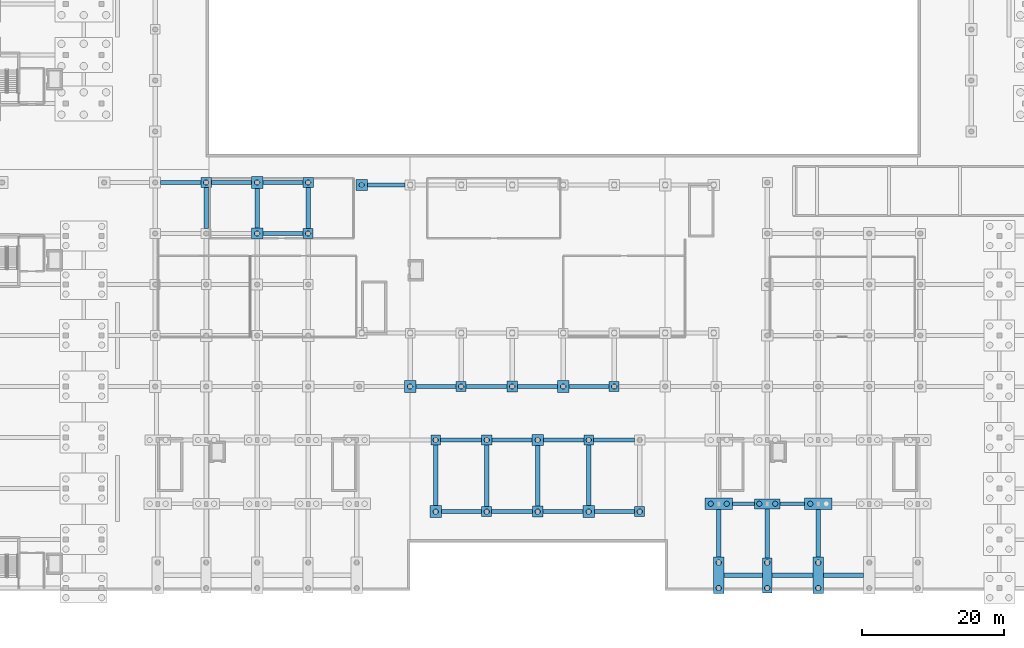
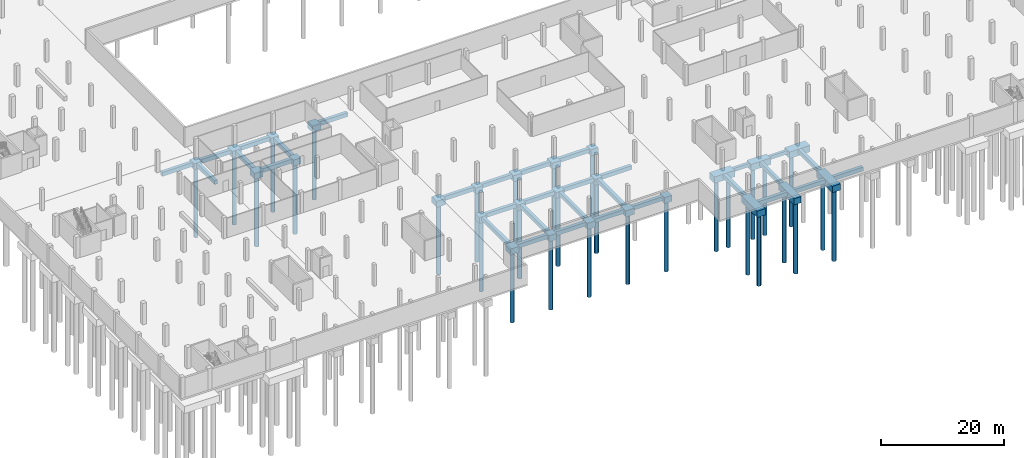
# One storey, part 4 of 36: 58 footings, 31 piles.
"""IFC4 building model written with IfcOpenShell, lengths in metres."""

from ifc_helpers import new_model, si_unit, derived_unit, direction, frame, origin, origin_2d, place, context, subcontext, project, spatial, polyline, rectangle, circle, outline, extrude, material, material_profile, profile_set, type_object, element, save


model = new_model("IFC4")

# Units and contexts
model_context = context("Model", 3, precision=1e-05, world=origin(), true_north=direction((0.0, 1.0)))
body_context = subcontext(model_context, "Body", "Model", "MODEL_VIEW")
ifc_project = project(units=[si_unit("LENGTHUNIT", "METRE"), si_unit("AREAUNIT", "SQUARE_METRE"), si_unit("VOLUMEUNIT", "CUBIC_METRE"), si_unit("PLANEANGLEUNIT", "RADIAN"), si_unit("MASSUNIT", "GRAM", prefix="KILO"), derived_unit("THERMALTRANSMITTANCEUNIT", [(si_unit("MASSUNIT", "GRAM", prefix="KILO"), 1), (si_unit("TIMEUNIT", "SECOND"), -3), (si_unit("THERMODYNAMICTEMPERATUREUNIT", "KELVIN"), -1)])], contexts=[model_context])

# Site, building, storey
site_placement = place(None, origin())
site = spatial("IfcSite", under=ifc_project, at=site_placement, CompositionType="ELEMENT")
building_placement = place(site_placement, origin())
building = spatial("IfcBuilding", under=site, at=building_placement, Name="Ochrekiln Boulevard Commons", CompositionType="ELEMENT")
storey_placement = place(building_placement, frame((0.0, 0.0, -4.199951171875)))
storey = spatial("IfcBuildingStorey", under=building, at=storey_placement, Name="B1", CompositionType="ELEMENT", Elevation=-4.199951171875)

# Footings
ifc_material = material(Name="Concrete C35/45", Category="concrete")
footing_type_1 = type_object("IfcFootingType", Name="CAP-RC-1350x1350x1200", PredefinedType="PILE_CAP", material=ifc_material)
for number, where, z_axis, x_axis, name in (
    (1, (68.39990234375, 21.25, -1.5), (0.0, 0.0, 1.0), (1.0, 0.0, 0.0), "Reinforced Concrete Pile Cap PC-27 (90)"),
    (2, (90.0, 21.25, -1.5), (0.0, 0.0, 1.0), (1.0, 0.0, 0.0), "Reinforced Concrete Pile Cap PC-27 (114)"),
):
    element("IfcFooting", number, at=place(storey_placement, frame(where, z_axis=z_axis, x_axis=x_axis)), inside=storey, type_object=footing_type_1, Name=name, PredefinedType="PILE_CAP", context=body_context, shape_type="SweptSolid", body=[
        extrude(rectangle(XDim=1.35009765625, YDim=1.35009765625, at=origin_2d()), origin(), (0.0, 0.0, 1.0), 1.199951171875),
    ])
footing_type_2 = type_object("IfcFootingType", Name="CAP-RC-1350x4950x1250", PredefinedType="PILE_CAP", material=ifc_material)
footing_1_placement = place(storey_placement, frame((115.199951171875, 2.14990234375, -1.550048828125), z_axis=(0.0, 0.0, 1.0), x_axis=(1.0, 0.0, 0.0)))
element("IfcFooting", 3, at=footing_1_placement, inside=storey, type_object=footing_type_2, Name="Reinforced Concrete Pile Cap PC-39 (138)", PredefinedType="PILE_CAP", context=body_context, shape_type="SweptSolid", body=[
    extrude(rectangle(XDim=1.35009765625, YDim=4.949951171875, at=origin_2d()), origin(), (0.0, 0.0, 1.0), 1.25),
])
footing_type_3 = type_object("IfcFootingType", Name="CAP-RC-1410x1410x1200", PredefinedType="PILE_CAP", material=ifc_material)
for number, where, z_axis, x_axis, name in (
    (4, (50.39990234375, 50.39990234375, -1.5), (0.0, 0.0, 1.0), (1.0, 0.0, 0.0), "Reinforced Concrete Pile Cap PC-28 (73)"),
    (5, (72.0, 28.800048828125, -1.5), (0.0, 0.0, 1.0), (1.0, 0.0, 0.0), "Reinforced Concrete Pile Cap PC-28 (91)"),
    (6, (75.60009765625, 11.14990234375, -1.5), (0.0, 0.0, 1.0), (1.0, 0.0, 0.0), "Reinforced Concrete Pile Cap PC-28 (97)"),
    (7, (93.60009765625, 28.800048828125, -1.5), (0.0, 0.0, 1.0), (1.0, 0.0, 0.0), "Reinforced Concrete Pile Cap PC-28 (115)"),
    (8, (97.199951171875, 11.14990234375, -1.5), (0.0, 0.0, 1.0), (1.0, 0.0, 0.0), "Reinforced Concrete Pile Cap PC-28 (121)"),
):
    element("IfcFooting", number, at=place(storey_placement, frame(where, z_axis=z_axis, x_axis=x_axis)), inside=storey, type_object=footing_type_3, Name=name, PredefinedType="PILE_CAP", context=body_context, shape_type="SweptSolid", body=[
        extrude(rectangle(XDim=1.409912109375, YDim=1.409912109375, at=origin_2d()), origin(), (0.0, 0.0, 1.0), 1.199951171875),
    ])
footing_type_4 = type_object("IfcFootingType", Name="CAP-RC-1470x1470x1200", PredefinedType="PILE_CAP", material=ifc_material)
for number, where, z_axis, x_axis, name in (
    (9, (36.0, 57.60009765625, -1.5), (0.0, 0.0, 1.0), (1.0, 0.0, 0.0), "Reinforced Concrete Pile Cap PC-29 (56)"),
    (10, (50.39990234375, 57.60009765625, -1.5), (0.0, 0.0, 1.0), (1.0, 0.0, 0.0), "Reinforced Concrete Pile Cap PC-29 (74)"),
    (11, (75.60009765625, 21.25, -1.5), (0.0, 0.0, 1.0), (1.0, 0.0, 0.0), "Reinforced Concrete Pile Cap PC-29 (98)"),
):
    element("IfcFooting", number, at=place(storey_placement, frame(where, z_axis=z_axis, x_axis=x_axis)), inside=storey, type_object=footing_type_4, Name=name, PredefinedType="PILE_CAP", context=body_context, shape_type="SweptSolid", body=[
        extrude(rectangle(XDim=1.469970703125, YDim=1.469970703125, at=origin_2d()), origin(), (0.0, 0.0, 1.0), 1.199951171875),
    ])
footing_type_5 = type_object("IfcFootingType", Name="CAP-RC-1530x1530x1200", PredefinedType="PILE_CAP", material=ifc_material)
for number, where, z_axis, x_axis, name in (
    (12, (79.199951171875, 28.800048828125, -1.5), (0.0, 0.0, 1.0), (1.0, 0.0, 0.0), "Reinforced Concrete Pile Cap PC-30 (99)"),
    (13, (82.800048828125, 11.14990234375, -1.5), (0.0, 0.0, 1.0), (1.0, 0.0, 0.0), "Reinforced Concrete Pile Cap PC-30 (105)"),
):
    element("IfcFooting", number, at=place(storey_placement, frame(where, z_axis=z_axis, x_axis=x_axis)), inside=storey, type_object=footing_type_5, Name=name, PredefinedType="PILE_CAP", context=body_context, shape_type="SweptSolid", body=[
        extrude(rectangle(XDim=1.530029296875, YDim=1.530029296875, at=origin_2d()), origin(), (0.0, 0.0, 1.0), 1.199951171875),
    ])
footing_type_6 = type_object("IfcFootingType", Name="CAP-RC-1530x5130x1250", PredefinedType="PILE_CAP", material=ifc_material)
for number, where, z_axis, x_axis, name in (
    (14, (108.35009765625, 2.14990234375, -1.550048828125), (0.0, 0.0, 1.0), (1.0, 0.0, 0.0), "Reinforced Concrete Pile Cap PC-37 (135)"),
    (15, (122.39990234375, 2.14990234375, -1.550048828125), (0.0, 0.0, 1.0), (1.0, 0.0, 0.0), "Reinforced Concrete Pile Cap PC-37 (147)"),
):
    element("IfcFooting", number, at=place(storey_placement, frame(where, z_axis=z_axis, x_axis=x_axis)), inside=storey, type_object=footing_type_6, Name=name, PredefinedType="PILE_CAP", context=body_context, shape_type="SweptSolid", body=[
        extrude(rectangle(XDim=1.530029296875, YDim=5.1298828125, at=origin_2d()), origin(), (0.0, 0.0, 1.0), 1.25),
    ])
footing_type_7 = type_object("IfcFootingType", Name="CAP-RC-1590x1590x1200", PredefinedType="PILE_CAP", material=ifc_material)
for number, where, z_axis, x_axis, name in (
    (16, (43.199951171875, 50.39990234375, -1.5), (0.0, 0.0, 1.0), (1.0, 0.0, 0.0), "Reinforced Concrete Pile Cap PC-26 (64)"),
    (17, (57.949951171875, 57.25, -1.5), (0.0, 0.0, 1.0), (1.0, 0.0, 0.0), "Reinforced Concrete Pile Cap PC-26 (82)"),
    (18, (82.800048828125, 21.25, -1.5), (0.0, 0.0, 1.0), (1.0, 0.0, 0.0), "Reinforced Concrete Pile Cap PC-26 (106)"),
):
    element("IfcFooting", number, at=place(storey_placement, frame(where, z_axis=z_axis, x_axis=x_axis)), inside=storey, type_object=footing_type_7, Name=name, PredefinedType="PILE_CAP", context=body_context, shape_type="SweptSolid", body=[
        extrude(rectangle(XDim=1.590087890625, YDim=1.590087890625, at=origin_2d()), origin(), (0.0, 0.0, 1.0), 1.199951171875),
    ])
footing_type_8 = type_object("IfcFootingType", Name="CAP-RC-1650x1650x1200", PredefinedType="PILE_CAP", material=ifc_material)
for number, where, z_axis, x_axis, name in (
    (19, (43.199951171875, 57.60009765625, -1.5), (0.0, 0.0, 1.0), (1.0, 0.0, 0.0), "Reinforced Concrete Pile Cap PC-17 (65)"),
    (20, (64.800048828125, 28.800048828125, -1.5), (0.0, 0.0, 1.0), (1.0, 0.0, 0.0), "Reinforced Concrete Pile Cap PC-17 (83)"),
    (21, (68.39990234375, 11.14990234375, -1.5), (0.0, 0.0, 1.0), (1.0, 0.0, 0.0), "Reinforced Concrete Pile Cap PC-17 (89)"),
    (22, (86.39990234375, 28.800048828125, -1.5), (0.0, 0.0, 1.0), (1.0, 0.0, 0.0), "Reinforced Concrete Pile Cap PC-17 (107)"),
    (23, (90.0, 11.14990234375, -1.5), (0.0, 0.0, 1.0), (1.0, 0.0, 0.0), "Reinforced Concrete Pile Cap PC-17 (113)"),
):
    element("IfcFooting", number, at=place(storey_placement, frame(where, z_axis=z_axis, x_axis=x_axis)), inside=storey, type_object=footing_type_8, Name=name, PredefinedType="PILE_CAP", context=body_context, shape_type="SweptSolid", body=[
        extrude(rectangle(XDim=1.64990234375, YDim=1.64990234375, at=origin_2d()), origin(), (0.0, 0.0, 1.0), 1.199951171875),
    ])
footing_type_9 = type_object("IfcFootingType", Name="CAP-RC-3660x1410x1300", PredefinedType="PILE_CAP", material=ifc_material)
footing_2_placement = place(storey_placement, frame((115.199951171875, 12.25, -1.60009765625), z_axis=(0.0, 0.0, 1.0), x_axis=(1.0, 0.0, 0.0)))
element("IfcFooting", 24, at=footing_2_placement, inside=storey, type_object=footing_type_9, Name="Reinforced Concrete Pile Cap PC-40 (139)", PredefinedType="PILE_CAP", context=body_context, shape_type="SweptSolid", body=[
    extrude(rectangle(XDim=3.659912109375, YDim=1.409912109375, at=origin_2d()), origin(), (0.0, 0.0, 1.0), 1.300048828125),
])
footing_type_10 = type_object("IfcFootingType", Name="CAP-RC-3840x1590x1300", PredefinedType="PILE_CAP", material=ifc_material)
for number, where, z_axis, x_axis, name in (
    (25, (108.35009765625, 12.25, -1.60009765625), (0.0, 0.0, 1.0), (1.0, 0.0, 0.0), "Reinforced Concrete Pile Cap PC-38 (136)"),
    (26, (122.39990234375, 12.25, -1.60009765625), (0.0, 0.0, 1.0), (1.0, 0.0, 0.0), "Reinforced Concrete Pile Cap PC-38 (148)"),
):
    element("IfcFooting", number, at=place(storey_placement, frame(where, z_axis=z_axis, x_axis=x_axis)), inside=storey, type_object=footing_type_10, Name=name, PredefinedType="PILE_CAP", context=body_context, shape_type="SweptSolid", body=[
        extrude(rectangle(XDim=3.840087890625, YDim=1.590087890625, at=origin_2d()), origin(), (0.0, 0.0, 1.0), 1.300048828125),
    ])
footing_type_11 = type_object("IfcFootingType", Name="FTG-BEAM-500x700", PredefinedType="FOOTING_BEAM", material=ifc_material)
footing_3_placement = place(storey_placement, frame((0.0, 0.0, -1.0)))
element("IfcFooting", 27, at=footing_3_placement, inside=storey, type_object=footing_type_11, Name="Seismic Footing Tie Beam FB-5070 X-152", PredefinedType="FOOTING_BEAM", context=body_context, shape_type="SweptSolid", body=[
    extrude(outline(polyline([(110.27001953125, 12.0), (113.3701171875, 12.0), (113.3701171875, 12.5), (110.27001953125, 12.5), (110.27001953125, 12.0)])), origin(), (0.0, 0.0, 1.0), 0.699951171875),
])
footing_4_placement = place(storey_placement, frame((0.0, 0.0, -1.0)))
element("IfcFooting", 28, at=footing_4_placement, inside=storey, type_object=footing_type_11, Name="Seismic Footing Tie Beam FB-5070 X-153", PredefinedType="FOOTING_BEAM", context=body_context, shape_type="SweptSolid", body=[
    extrude(outline(polyline([(117.030029296875, 12.0), (120.47998046875, 12.0), (120.47998046875, 12.5), (117.030029296875, 12.5), (117.030029296875, 12.0)])), origin(), (0.0, 0.0, 1.0), 0.699951171875),
])
footing_type_12 = type_object("IfcFootingType", Name="FTG-BEAM-600x800", PredefinedType="FOOTING_BEAM", material=ifc_material)
footing_5_placement = place(storey_placement, frame((0.0, 0.0, -1.10009765625)))
element("IfcFooting", 29, at=footing_5_placement, inside=storey, type_object=footing_type_12, Name="Seismic Footing Tie Beam FB-6080 X-19", PredefinedType="FOOTING_BEAM", context=body_context, shape_type="SweptSolid", body=[
    extrude(outline(polyline([(69.074951171875, 20.949951171875), (74.864990234375, 20.949951171875), (74.864990234375, 21.550048828125), (69.074951171875, 21.550048828125), (69.074951171875, 20.949951171875)])), origin(), (0.0, 0.0, 1.0), 0.800048828125),
])
footing_6_placement = place(storey_placement, frame((0.0, 0.0, -1.10009765625)))
element("IfcFooting", 30, at=footing_6_placement, inside=storey, type_object=footing_type_12, Name="Seismic Footing Tie Beam FB-6080 X-20", PredefinedType="FOOTING_BEAM", context=body_context, shape_type="SweptSolid", body=[
    extrude(outline(polyline([(76.3349609375, 20.949951171875), (82.0048828125, 20.949951171875), (82.0048828125, 21.550048828125), (76.3349609375, 21.550048828125), (76.3349609375, 20.949951171875)])), origin(), (0.0, 0.0, 1.0), 0.800048828125),
])
footing_7_placement = place(storey_placement, frame((0.0, 0.0, -1.10009765625)))
element("IfcFooting", 31, at=footing_7_placement, inside=storey, type_object=footing_type_12, Name="Seismic Footing Tie Beam FB-6080 X-21", PredefinedType="FOOTING_BEAM", context=body_context, shape_type="SweptSolid", body=[
    extrude(outline(polyline([(83.594970703125, 20.949951171875), (89.324951171875, 20.949951171875), (89.324951171875, 21.550048828125), (83.594970703125, 21.550048828125), (83.594970703125, 20.949951171875)])), origin(), (0.0, 0.0, 1.0), 0.800048828125),
])
footing_8_placement = place(storey_placement, frame((0.0, 0.0, -1.10009765625)))
element("IfcFooting", 32, at=footing_8_placement, inside=storey, type_object=footing_type_12, Name="Seismic Footing Tie Beam FB-6080 X-22", PredefinedType="FOOTING_BEAM", context=body_context, shape_type="SweptSolid", body=[
    extrude(outline(polyline([(90.675048828125, 20.949951171875), (96.465087890625, 20.949951171875), (96.465087890625, 21.550048828125), (90.675048828125, 21.550048828125), (90.675048828125, 20.949951171875)])), origin(), (0.0, 0.0, 1.0), 0.800048828125),
])
footing_9_placement = place(storey_placement, frame((0.0, 0.0, -1.10009765625)))
element("IfcFooting", 33, at=footing_9_placement, inside=storey, type_object=footing_type_12, Name="Seismic Footing Tie Beam FB-6080 X-38", PredefinedType="FOOTING_BEAM", context=body_context, shape_type="SweptSolid", body=[
    extrude(outline(polyline([(65.625, 28.5), (71.294921875, 28.5), (71.294921875, 29.10009765625), (65.625, 29.10009765625), (65.625, 28.5)])), origin(), (0.0, 0.0, 1.0), 0.800048828125),
])
footing_10_placement = place(storey_placement, frame((0.0, 0.0, -1.10009765625)))
element("IfcFooting", 34, at=footing_10_placement, inside=storey, type_object=footing_type_12, Name="Seismic Footing Tie Beam FB-6080 X-39", PredefinedType="FOOTING_BEAM", context=body_context, shape_type="SweptSolid", body=[
    extrude(outline(polyline([(72.705078125, 28.5), (78.43505859375, 28.5), (78.43505859375, 29.10009765625), (72.705078125, 29.10009765625), (72.705078125, 28.5)])), origin(), (0.0, 0.0, 1.0), 0.800048828125),
])
footing_11_placement = place(storey_placement, frame((0.0, 0.0, -1.10009765625)))
element("IfcFooting", 35, at=footing_11_placement, inside=storey, type_object=footing_type_12, Name="Seismic Footing Tie Beam FB-6080 X-40", PredefinedType="FOOTING_BEAM", context=body_context, shape_type="SweptSolid", body=[
    extrude(outline(polyline([(79.965087890625, 28.5), (85.574951171875, 28.5), (85.574951171875, 29.10009765625), (79.965087890625, 29.10009765625), (79.965087890625, 28.5)])), origin(), (0.0, 0.0, 1.0), 0.800048828125),
])
footing_12_placement = place(storey_placement, frame((0.0, 0.0, -1.10009765625)))
element("IfcFooting", 36, at=footing_12_placement, inside=storey, type_object=footing_type_12, Name="Seismic Footing Tie Beam FB-6080 X-41", PredefinedType="FOOTING_BEAM", context=body_context, shape_type="SweptSolid", body=[
    extrude(outline(polyline([(87.22509765625, 28.5), (92.89501953125, 28.5), (92.89501953125, 29.10009765625), (87.22509765625, 29.10009765625), (87.22509765625, 28.5)])), origin(), (0.0, 0.0, 1.0), 0.800048828125),
])
footing_13_placement = place(storey_placement, frame((0.0, 0.0, -1.10009765625)))
element("IfcFooting", 37, at=footing_13_placement, inside=storey, type_object=footing_type_12, Name="Seismic Footing Tie Beam FB-6080 X-86", PredefinedType="FOOTING_BEAM", context=body_context, shape_type="SweptSolid", body=[
    extrude(outline(polyline([(43.9951171875, 50.10009765625), (49.695068359375, 50.10009765625), (49.695068359375, 50.699951171875), (43.9951171875, 50.699951171875), (43.9951171875, 50.10009765625)])), origin(), (0.0, 0.0, 1.0), 0.800048828125),
])
footing_14_placement = place(storey_placement, frame((0.0, 0.0, -1.10009765625)))
element("IfcFooting", 38, at=footing_14_placement, inside=storey, type_object=footing_type_12, Name="Seismic Footing Tie Beam FB-6080 X-122", PredefinedType="FOOTING_BEAM", context=body_context, shape_type="SweptSolid", body=[
    extrude(outline(polyline([(29.56494140625, 57.300048828125), (35.264892578125, 57.300048828125), (35.264892578125, 57.89990234375), (29.56494140625, 57.89990234375), (29.56494140625, 57.300048828125)])), origin(), (0.0, 0.0, 1.0), 0.800048828125),
])
footing_15_placement = place(storey_placement, frame((0.0, 0.0, -1.10009765625)))
element("IfcFooting", 39, at=footing_15_placement, inside=storey, type_object=footing_type_12, Name="Seismic Footing Tie Beam FB-6080 X-123", PredefinedType="FOOTING_BEAM", context=body_context, shape_type="SweptSolid", body=[
    extrude(outline(polyline([(36.735107421875, 57.300048828125), (42.375, 57.300048828125), (42.375, 57.89990234375), (36.735107421875, 57.89990234375), (36.735107421875, 57.300048828125)])), origin(), (0.0, 0.0, 1.0), 0.800048828125),
])
footing_16_placement = place(storey_placement, frame((0.0, 0.0, -1.10009765625)))
element("IfcFooting", 40, at=footing_16_placement, inside=storey, type_object=footing_type_12, Name="Seismic Footing Tie Beam FB-6080 X-124", PredefinedType="FOOTING_BEAM", context=body_context, shape_type="SweptSolid", body=[
    extrude(outline(polyline([(44.02490234375, 57.300048828125), (49.6650390625, 57.300048828125), (49.6650390625, 57.89990234375), (44.02490234375, 57.89990234375), (44.02490234375, 57.300048828125)])), origin(), (0.0, 0.0, 1.0), 0.800048828125),
])
footing_17_placement = place(storey_placement, frame((0.0, 0.0, -1.10009765625)))
element("IfcFooting", 41, at=footing_17_placement, inside=storey, type_object=footing_type_12, Name="Seismic Footing Tie Beam FB-6080 X-125", PredefinedType="FOOTING_BEAM", context=body_context, shape_type="SweptSolid", body=[
    extrude(outline(polyline([(58.7451171875, 56.949951171875), (64.094970703125, 56.949951171875), (64.094970703125, 57.550048828125), (58.7451171875, 57.550048828125), (58.7451171875, 56.949951171875)])), origin(), (0.0, 0.0, 1.0), 0.800048828125),
])
footing_18_placement = place(storey_placement, frame((0.0, 0.0, -1.10009765625)))
element("IfcFooting", 42, at=footing_18_placement, inside=storey, type_object=footing_type_12, Name="Seismic Footing Tie Beam FB-6080 X-144", PredefinedType="FOOTING_BEAM", context=body_context, shape_type="SweptSolid", body=[
    extrude(outline(polyline([(109.114990234375, 1.85009765625), (114.52490234375, 1.85009765625), (114.52490234375, 2.449951171875), (109.114990234375, 2.449951171875), (109.114990234375, 1.85009765625)])), origin(), (0.0, 0.0, 1.0), 0.800048828125),
])
footing_19_placement = place(storey_placement, frame((0.0, 0.0, -1.10009765625)))
element("IfcFooting", 43, at=footing_19_placement, inside=storey, type_object=footing_type_12, Name="Seismic Footing Tie Beam FB-6080 X-145", PredefinedType="FOOTING_BEAM", context=body_context, shape_type="SweptSolid", body=[
    extrude(outline(polyline([(115.875, 1.85009765625), (121.635009765625, 1.85009765625), (121.635009765625, 2.449951171875), (115.875, 2.449951171875), (115.875, 1.85009765625)])), origin(), (0.0, 0.0, 1.0), 0.800048828125),
])
footing_20_placement = place(storey_placement, frame((0.0, 0.0, -1.10009765625)))
element("IfcFooting", 44, at=footing_20_placement, inside=storey, type_object=footing_type_12, Name="Seismic Footing Tie Beam FB-6080 X-146", PredefinedType="FOOTING_BEAM", context=body_context, shape_type="SweptSolid", body=[
    extrude(outline(polyline([(123.1650390625, 1.85009765625), (128.77490234375, 1.85009765625), (128.77490234375, 2.449951171875), (123.1650390625, 2.449951171875), (123.1650390625, 1.85009765625)])), origin(), (0.0, 0.0, 1.0), 0.800048828125),
])
footing_21_placement = place(storey_placement, frame((0.0, 0.0, -1.10009765625)))
element("IfcFooting", 45, at=footing_21_placement, inside=storey, type_object=footing_type_12, Name="Seismic Footing Tie Beam FB-6080 X-162", PredefinedType="FOOTING_BEAM", context=body_context, shape_type="SweptSolid", body=[
    extrude(outline(polyline([(69.22509765625, 10.85009765625), (74.89501953125, 10.85009765625), (74.89501953125, 11.449951171875), (69.22509765625, 11.449951171875), (69.22509765625, 10.85009765625)])), origin(), (0.0, 0.0, 1.0), 0.800048828125),
])
footing_22_placement = place(storey_placement, frame((0.0, 0.0, -1.10009765625)))
element("IfcFooting", 46, at=footing_22_placement, inside=storey, type_object=footing_type_12, Name="Seismic Footing Tie Beam FB-6080 X-163", PredefinedType="FOOTING_BEAM", context=body_context, shape_type="SweptSolid", body=[
    extrude(outline(polyline([(76.304931640625, 10.85009765625), (82.034912109375, 10.85009765625), (82.034912109375, 11.449951171875), (76.304931640625, 11.449951171875), (76.304931640625, 10.85009765625)])), origin(), (0.0, 0.0, 1.0), 0.800048828125),
])
footing_23_placement = place(storey_placement, frame((0.0, 0.0, -1.10009765625)))
element("IfcFooting", 47, at=footing_23_placement, inside=storey, type_object=footing_type_12, Name="Seismic Footing Tie Beam FB-6080 X-164", PredefinedType="FOOTING_BEAM", context=body_context, shape_type="SweptSolid", body=[
    extrude(outline(polyline([(83.56494140625, 10.85009765625), (89.175048828125, 10.85009765625), (89.175048828125, 11.449951171875), (83.56494140625, 11.449951171875), (83.56494140625, 10.85009765625)])), origin(), (0.0, 0.0, 1.0), 0.800048828125),
])
footing_24_placement = place(storey_placement, frame((0.0, 0.0, -1.10009765625)))
element("IfcFooting", 48, at=footing_24_placement, inside=storey, type_object=footing_type_12, Name="Seismic Footing Tie Beam FB-6080 X-165", PredefinedType="FOOTING_BEAM", context=body_context, shape_type="SweptSolid", body=[
    extrude(outline(polyline([(90.824951171875, 10.85009765625), (96.4951171875, 10.85009765625), (96.4951171875, 11.449951171875), (90.824951171875, 11.449951171875), (90.824951171875, 10.85009765625)])), origin(), (0.0, 0.0, 1.0), 0.800048828125),
])
footing_25_placement = place(storey_placement, frame((0.0, 0.0, -1.10009765625)))
element("IfcFooting", 49, at=footing_25_placement, inside=storey, type_object=footing_type_12, Name="Seismic Footing Tie Beam FB-6080 Y-212", PredefinedType="FOOTING_BEAM", context=body_context, shape_type="SweptSolid", body=[
    extrude(outline(polyline([(35.699951171875, 51.10498046875), (36.300048828125, 51.10498046875), (36.300048828125, 56.864990234375), (35.699951171875, 56.864990234375), (35.699951171875, 51.10498046875)])), origin(), (0.0, 0.0, 1.0), 0.800048828125),
])
footing_26_placement = place(storey_placement, frame((0.0, 0.0, -1.10009765625)))
element("IfcFooting", 50, at=footing_26_placement, inside=storey, type_object=footing_type_12, Name="Seismic Footing Tie Beam FB-6080 Y-219", PredefinedType="FOOTING_BEAM", context=body_context, shape_type="SweptSolid", body=[
    extrude(outline(polyline([(42.89990234375, 51.195068359375), (43.5, 51.195068359375), (43.5, 56.77490234375), (42.89990234375, 56.77490234375), (42.89990234375, 51.195068359375)])), origin(), (0.0, 0.0, 1.0), 0.800048828125),
])
footing_27_placement = place(storey_placement, frame((0.0, 0.0, -1.10009765625)))
element("IfcFooting", 51, at=footing_27_placement, inside=storey, type_object=footing_type_12, Name="Seismic Footing Tie Beam FB-6080 Y-226", PredefinedType="FOOTING_BEAM", context=body_context, shape_type="SweptSolid", body=[
    extrude(outline(polyline([(50.10009765625, 51.10498046875), (50.699951171875, 51.10498046875), (50.699951171875, 56.864990234375), (50.10009765625, 56.864990234375), (50.10009765625, 51.10498046875)])), origin(), (0.0, 0.0, 1.0), 0.800048828125),
])
footing_28_placement = place(storey_placement, frame((0.0, 0.0, -1.10009765625)))
element("IfcFooting", 52, at=footing_28_placement, inside=storey, type_object=footing_type_12, Name="Seismic Footing Tie Beam FB-6080 Y-232", PredefinedType="FOOTING_BEAM", context=body_context, shape_type="SweptSolid", body=[
    extrude(outline(polyline([(68.10009765625, 11.97509765625), (68.699951171875, 11.97509765625), (68.699951171875, 20.574951171875), (68.10009765625, 20.574951171875), (68.10009765625, 11.97509765625)])), origin(), (0.0, 0.0, 1.0), 0.800048828125),
])
footing_29_placement = place(storey_placement, frame((0.0, 0.0, -1.10009765625)))
element("IfcFooting", 53, at=footing_29_placement, inside=storey, type_object=footing_type_12, Name="Seismic Footing Tie Beam FB-6080 Y-236", PredefinedType="FOOTING_BEAM", context=body_context, shape_type="SweptSolid", body=[
    extrude(outline(polyline([(75.300048828125, 11.85498046875), (75.89990234375, 11.85498046875), (75.89990234375, 20.514892578125), (75.300048828125, 20.514892578125), (75.300048828125, 11.85498046875)])), origin(), (0.0, 0.0, 1.0), 0.800048828125),
])
footing_30_placement = place(storey_placement, frame((0.0, 0.0, -1.10009765625)))
element("IfcFooting", 54, at=footing_30_placement, inside=storey, type_object=footing_type_12, Name="Seismic Footing Tie Beam FB-6080 Y-240", PredefinedType="FOOTING_BEAM", context=body_context, shape_type="SweptSolid", body=[
    extrude(outline(polyline([(82.5, 11.9150390625), (83.10009765625, 11.9150390625), (83.10009765625, 20.455078125), (82.5, 20.455078125), (82.5, 11.9150390625)])), origin(), (0.0, 0.0, 1.0), 0.800048828125),
])
footing_31_placement = place(storey_placement, frame((0.0, 0.0, -1.10009765625)))
element("IfcFooting", 55, at=footing_31_placement, inside=storey, type_object=footing_type_12, Name="Seismic Footing Tie Beam FB-6080 Y-244", PredefinedType="FOOTING_BEAM", context=body_context, shape_type="SweptSolid", body=[
    extrude(outline(polyline([(89.699951171875, 11.97509765625), (90.300048828125, 11.97509765625), (90.300048828125, 20.574951171875), (89.699951171875, 20.574951171875), (89.699951171875, 11.97509765625)])), origin(), (0.0, 0.0, 1.0), 0.800048828125),
])
footing_32_placement = place(storey_placement, frame((0.0, 0.0, -1.10009765625)))
element("IfcFooting", 56, at=footing_32_placement, inside=storey, type_object=footing_type_12, Name="Seismic Footing Tie Beam FB-6080 Y-252", PredefinedType="FOOTING_BEAM", context=body_context, shape_type="SweptSolid", body=[
    extrude(outline(polyline([(108.050048828125, 4.715087890625), (108.64990234375, 4.715087890625), (108.64990234375, 11.455078125), (108.050048828125, 11.455078125), (108.050048828125, 4.715087890625)])), origin(), (0.0, 0.0, 1.0), 0.800048828125),
])
footing_33_placement = place(storey_placement, frame((0.0, 0.0, -1.10009765625)))
element("IfcFooting", 57, at=footing_33_placement, inside=storey, type_object=footing_type_12, Name="Seismic Footing Tie Beam FB-6080 Y-258", PredefinedType="FOOTING_BEAM", context=body_context, shape_type="SweptSolid", body=[
    extrude(outline(polyline([(114.89990234375, 4.625), (115.5, 4.625), (115.5, 11.544921875), (114.89990234375, 11.544921875), (114.89990234375, 4.625)])), origin(), (0.0, 0.0, 1.0), 0.800048828125),
])
footing_34_placement = place(storey_placement, frame((0.0, 0.0, -1.10009765625)))
element("IfcFooting", 58, at=footing_34_placement, inside=storey, type_object=footing_type_12, Name="Seismic Footing Tie Beam FB-6080 Y-265", PredefinedType="FOOTING_BEAM", context=body_context, shape_type="SweptSolid", body=[
    extrude(outline(polyline([(122.10009765625, 4.715087890625), (122.699951171875, 4.715087890625), (122.699951171875, 11.455078125), (122.10009765625, 11.455078125), (122.10009765625, 4.715087890625)])), origin(), (0.0, 0.0, 1.0), 0.800048828125),
])

# Piles
ifc_material_profile = material_profile(ifc_material, circle(Radius=0.375, at=origin_2d()), Name="PILE-D750")
ifc_profile_set = profile_set([ifc_material_profile], Name="Concrete C35/45")
pile_type = type_object("IfcPileType", Name="PILE-BORED-750", PredefinedType="BORED", material=ifc_profile_set)
for number, where, z_axis, x_axis, name in (
    (59, (36.0, 57.60009765625, -1.400146484375), (0.0, 0.0, -1.0), (1.0, 0.0, 0.0), "Caliche-Socketed Bored Pile BP-750 (56.1)"),
    (60, (43.199951171875, 50.39990234375, -1.400146484375), (0.0, 0.0, -1.0), (1.0, 0.0, 0.0), "Caliche-Socketed Bored Pile BP-750 (64.1)"),
    (61, (43.199951171875, 57.60009765625, -1.400146484375), (0.0, 0.0, -1.0), (1.0, 0.0, 0.0), "Caliche-Socketed Bored Pile BP-750 (65.1)"),
    (62, (50.39990234375, 50.39990234375, -1.400146484375), (0.0, 0.0, -1.0), (1.0, 0.0, 0.0), "Caliche-Socketed Bored Pile BP-750 (73.1)"),
    (63, (50.39990234375, 57.60009765625, -1.400146484375), (0.0, 0.0, -1.0), (1.0, 0.0, 0.0), "Caliche-Socketed Bored Pile BP-750 (74.1)"),
    (64, (57.949951171875, 57.25, -1.400146484375), (0.0, 0.0, -1.0), (1.0, 0.0, 0.0), "Caliche-Socketed Bored Pile BP-750 (82.1)"),
    (65, (64.800048828125, 28.800048828125, -1.400146484375), (0.0, 0.0, -1.0), (1.0, 0.0, 0.0), "Caliche-Socketed Bored Pile BP-750 (83.1)"),
    (66, (68.39990234375, 11.14990234375, -1.400146484375), (0.0, 0.0, -1.0), (1.0, 0.0, 0.0), "Caliche-Socketed Bored Pile BP-750 (89.1)"),
    (67, (68.39990234375, 21.25, -1.400146484375), (0.0, 0.0, -1.0), (1.0, 0.0, 0.0), "Caliche-Socketed Bored Pile BP-750 (90.1)"),
    (68, (72.0, 28.800048828125, -1.400146484375), (0.0, 0.0, -1.0), (1.0, 0.0, 0.0), "Caliche-Socketed Bored Pile BP-750 (91.1)"),
    (69, (75.60009765625, 11.14990234375, -1.400146484375), (0.0, 0.0, -1.0), (1.0, 0.0, 0.0), "Caliche-Socketed Bored Pile BP-750 (97.1)"),
    (70, (75.60009765625, 21.25, -1.400146484375), (0.0, 0.0, -1.0), (1.0, 0.0, 0.0), "Caliche-Socketed Bored Pile BP-750 (98.1)"),
    (71, (79.199951171875, 28.800048828125, -1.400146484375), (0.0, 0.0, -1.0), (1.0, 0.0, 0.0), "Caliche-Socketed Bored Pile BP-750 (99.1)"),
    (72, (82.800048828125, 11.14990234375, -1.400146484375), (0.0, 0.0, -1.0), (1.0, 0.0, 0.0), "Caliche-Socketed Bored Pile BP-750 (105.1)"),
    (73, (82.800048828125, 21.25, -1.400146484375), (0.0, 0.0, -1.0), (1.0, 0.0, 0.0), "Caliche-Socketed Bored Pile BP-750 (106.1)"),
    (74, (86.39990234375, 28.800048828125, -1.400146484375), (0.0, 0.0, -1.0), (1.0, 0.0, 0.0), "Caliche-Socketed Bored Pile BP-750 (107.1)"),
    (75, (90.0, 11.14990234375, -1.400146484375), (0.0, 0.0, -1.0), (1.0, 0.0, 0.0), "Caliche-Socketed Bored Pile BP-750 (113.1)"),
    (76, (90.0, 21.25, -1.400146484375), (0.0, 0.0, -1.0), (1.0, 0.0, 0.0), "Caliche-Socketed Bored Pile BP-750 (114.1)"),
    (77, (93.60009765625, 28.800048828125, -1.400146484375), (0.0, 0.0, -1.0), (1.0, 0.0, 0.0), "Caliche-Socketed Bored Pile BP-750 (115.1)"),
    (78, (97.199951171875, 11.14990234375, -1.400146484375), (0.0, 0.0, -1.0), (1.0, 0.0, 0.0), "Caliche-Socketed Bored Pile BP-750 (121.1)"),
):
    element("IfcPile", number, at=place(storey_placement, frame(where, z_axis=z_axis, x_axis=x_axis)), inside=storey, type_object=pile_type, Name=name, PredefinedType="BORED", context=body_context, shape_type="SweptSolid", body=[
        extrude(circle(Radius=0.375, at=origin_2d()), origin(), (0.0, 0.0, 1.0), 14.0),
    ])
for number, where, z_axis, x_axis, name in (
    (79, (108.35009765625, 0.35009765625, -1.449951171875), (0.0, 0.0, -1.0), (1.0, 0.0, 0.0), "Caliche-Socketed Bored Pile BP-750 (135.1)"),
    (80, (108.35009765625, 3.949951171875, -1.449951171875), (0.0, 0.0, -1.0), (1.0, 0.0, 0.0), "Caliche-Socketed Bored Pile BP-750 (135.2)"),
):
    element("IfcPile", number, at=place(storey_placement, frame(where, z_axis=z_axis, x_axis=x_axis)), inside=storey, type_object=pile_type, Name=name, PredefinedType="BORED", context=body_context, shape_type="SweptSolid", body=[
        extrude(circle(Radius=0.375, at=origin_2d()), origin(), (0.0, 0.0, 1.0), 14.14990234375),
    ])
for number, where, z_axis, x_axis, name in (
    (81, (107.22509765625, 12.25, -1.5), (0.0, 0.0, -1.0), (1.0, 0.0, 0.0), "Caliche-Socketed Bored Pile BP-750 (136.1)"),
    (82, (109.47509765625, 12.25, -1.5), (0.0, 0.0, -1.0), (1.0, 0.0, 0.0), "Caliche-Socketed Bored Pile BP-750 (136.2)"),
):
    element("IfcPile", number, at=place(storey_placement, frame(where, z_axis=z_axis, x_axis=x_axis)), inside=storey, type_object=pile_type, Name=name, PredefinedType="BORED", context=body_context, shape_type="SweptSolid", body=[
        extrude(circle(Radius=0.375, at=origin_2d()), origin(), (0.0, 0.0, 1.0), 14.10009765625),
    ])
for number, where, z_axis, x_axis, name in (
    (83, (115.199951171875, 0.35009765625, -1.449951171875), (0.0, 0.0, -1.0), (1.0, 0.0, 0.0), "Caliche-Socketed Bored Pile BP-750 (138.1)"),
    (84, (115.199951171875, 3.949951171875, -1.449951171875), (0.0, 0.0, -1.0), (1.0, 0.0, 0.0), "Caliche-Socketed Bored Pile BP-750 (138.2)"),
):
    element("IfcPile", number, at=place(storey_placement, frame(where, z_axis=z_axis, x_axis=x_axis)), inside=storey, type_object=pile_type, Name=name, PredefinedType="BORED", context=body_context, shape_type="SweptSolid", body=[
        extrude(circle(Radius=0.375, at=origin_2d()), origin(), (0.0, 0.0, 1.0), 14.14990234375),
    ])
for number, where, z_axis, x_axis, name in (
    (85, (114.074951171875, 12.25, -1.5), (0.0, 0.0, -1.0), (1.0, 0.0, 0.0), "Caliche-Socketed Bored Pile BP-750 (139.1)"),
    (86, (116.324951171875, 12.25, -1.5), (0.0, 0.0, -1.0), (1.0, 0.0, 0.0), "Caliche-Socketed Bored Pile BP-750 (139.2)"),
):
    element("IfcPile", number, at=place(storey_placement, frame(where, z_axis=z_axis, x_axis=x_axis)), inside=storey, type_object=pile_type, Name=name, PredefinedType="BORED", context=body_context, shape_type="SweptSolid", body=[
        extrude(circle(Radius=0.375, at=origin_2d()), origin(), (0.0, 0.0, 1.0), 14.10009765625),
    ])
for number, where, z_axis, x_axis, name in (
    (87, (122.39990234375, 0.35009765625, -1.449951171875), (0.0, 0.0, -1.0), (1.0, 0.0, 0.0), "Caliche-Socketed Bored Pile BP-750 (147.1)"),
    (88, (122.39990234375, 3.949951171875, -1.449951171875), (0.0, 0.0, -1.0), (1.0, 0.0, 0.0), "Caliche-Socketed Bored Pile BP-750 (147.2)"),
):
    element("IfcPile", number, at=place(storey_placement, frame(where, z_axis=z_axis, x_axis=x_axis)), inside=storey, type_object=pile_type, Name=name, PredefinedType="BORED", context=body_context, shape_type="SweptSolid", body=[
        extrude(circle(Radius=0.375, at=origin_2d()), origin(), (0.0, 0.0, 1.0), 14.14990234375),
    ])
pile_placement = place(storey_placement, frame((121.27490234375, 12.25, -1.5), z_axis=(0.0, 0.0, -1.0), x_axis=(1.0, 0.0, 0.0)))
element("IfcPile", 89, at=pile_placement, inside=storey, type_object=pile_type, Name="Caliche-Socketed Bored Pile BP-750 (148.1)", PredefinedType="BORED", context=body_context, shape_type="SweptSolid", body=[
    extrude(circle(Radius=0.375, at=origin_2d()), origin(), (0.0, 0.0, 1.0), 14.10009765625),
])

save(model, "model.ifc")
